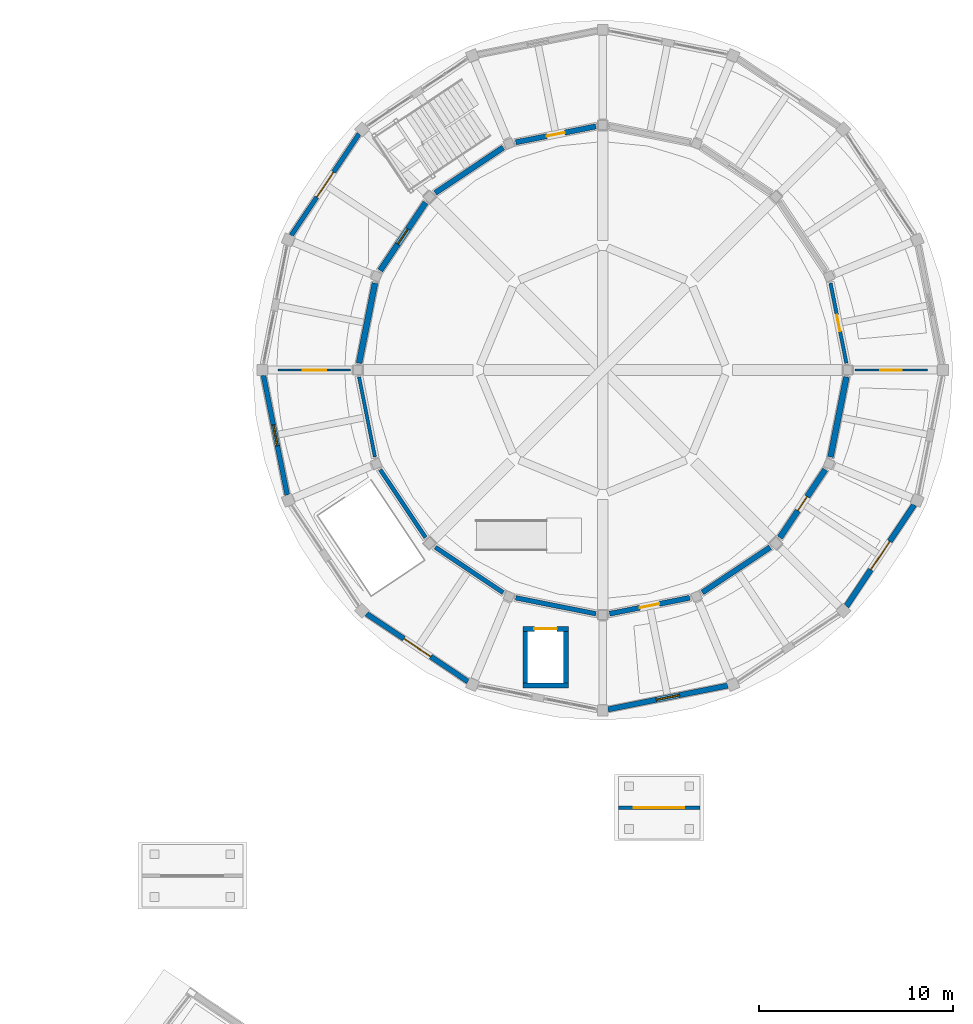
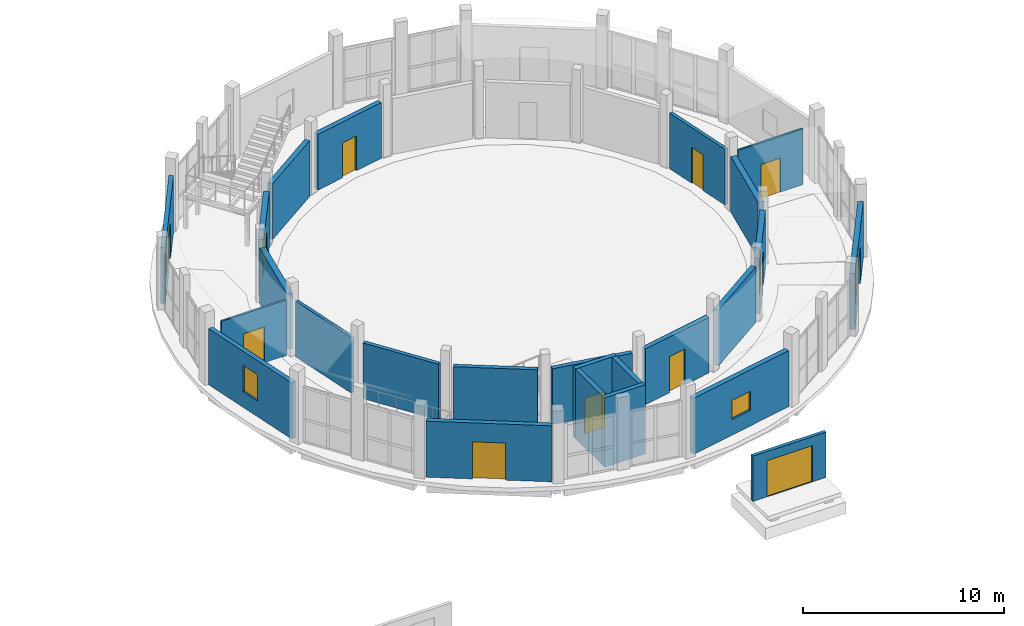
# One storey, part 74 of 92: 25 walls, 12 doors, 2 windows, 14 openings.
"""IFC4 building model written with IfcOpenShell, lengths in metres."""

import ifcopenshell
import ifcopenshell.guid

model = None  # the IFC model being written
_history = None  # IfcOwnerHistory: only IFC2X3 demands one
_inside = {}  # id of a spatial element -> (the spatial element, [elements in it])
_under = {}  # id of a project, library or spatial element -> (it, [spatial elements below it])
_declared = {}  # id of a project -> (the project, [libraries it declares])
_typed = {}  # id of a type object -> (the type object, [elements of that type])
_made_of = {}  # id of a material, layer set ... -> (it, [elements and type objects made of it])


def new_model(schema):
    """Start an empty IFC model of exactly this schema.

    Asked for "IFC4X3", IfcOpenShell would pick the latest addendum, in which some entities
    have other attributes; the version numbers below select the first issue.
    IFC2X3 requires an IfcOwnerHistory on every rooted entity: one is made here for all.
    """
    global model, _history
    if schema == "IFC4X3":
        model = ifcopenshell.file(schema_version=(4, 3, 0, 0))
    else:
        model = ifcopenshell.file(schema=schema)
    _inside.clear()
    _under.clear()
    _declared.clear()
    _typed.clear()
    _made_of.clear()
    _history = None
    if model.schema == "IFC2X3":
        org = make("IfcOrganization", Name="unknown")
        user = make(
            "IfcPersonAndOrganization",
            ThePerson=make("IfcPerson", FamilyName="unknown"),
            TheOrganization=org,
        )
        app = make(
            "IfcApplication",
            ApplicationDeveloper=org,
            Version="unknown",
            ApplicationFullName="unknown",
            ApplicationIdentifier="unknown",
        )
        _history = make(
            "IfcOwnerHistory",
            OwningUser=user,
            OwningApplication=app,
            ChangeAction="ADDED",
            CreationDate=0,
        )
    return model


def make(cls, **values):
    """One entity of the class cls with the attributes given. An attribute that is None is left unset."""
    return model.create_entity(
        cls, **{name: value for name, value in values.items() if value is not None}
    )


def rooted(cls, **values):
    """An entity with a GlobalId (a new one), such as an element, a storey or a relation."""
    return make(cls, GlobalId=ifcopenshell.guid.new(), OwnerHistory=_history, **values)


def si_unit(unit_type, name, prefix=None):
    """IfcSIUnit, for example si_unit("LENGTHUNIT", "METRE", prefix="MILLI")."""
    return make("IfcSIUnit", UnitType=unit_type, Prefix=prefix, Name=name)


def assignment(units):
    """IfcUnitAssignment: the units of a project."""
    return None if units is None else make("IfcUnitAssignment", Units=units)


def point(xyz):
    """IfcCartesianPoint."""
    return None if xyz is None else make("IfcCartesianPoint", Coordinates=xyz)


def direction(xyz):
    """IfcDirection."""
    return None if xyz is None else make("IfcDirection", DirectionRatios=xyz)


def frame(location, z_axis=None, x_axis=None):
    """IfcAxis2Placement3D, a coordinate frame: its origin and axes. An axis left out is left unset."""
    return make(
        "IfcAxis2Placement3D",
        Location=point(location),
        Axis=direction(z_axis),
        RefDirection=direction(x_axis),
    )


def frame_2d(location, x_axis=None):
    """IfcAxis2Placement2D, a coordinate frame in the plane: its origin and x axis."""
    return make(
        "IfcAxis2Placement2D", Location=point(location), RefDirection=direction(x_axis)
    )


def origin():
    """The frame at (0, 0, 0) with its axes left unset."""
    return frame((0.0, 0.0, 0.0))


def place(relative_to, where):
    """IfcLocalPlacement: puts the frame where relative to a parent placement (None: the world)."""
    return make(
        "IfcLocalPlacement", PlacementRelTo=relative_to, RelativePlacement=where
    )


def context(
    kind, dimensions, precision=None, world=None, true_north=None, identifier=None
):
    """IfcGeometricRepresentationContext, for example the 3D "Model" context."""
    return make(
        "IfcGeometricRepresentationContext",
        ContextIdentifier=identifier,
        ContextType=kind,
        CoordinateSpaceDimension=dimensions,
        Precision=precision,
        WorldCoordinateSystem=world,
        TrueNorth=true_north,
    )


def subcontext(parent, identifier, kind, view, scale=None):
    """IfcGeometricRepresentationSubContext, for example "Body" below "Model"."""
    return make(
        "IfcGeometricRepresentationSubContext",
        ContextIdentifier=identifier,
        ContextType=kind,
        ParentContext=parent,
        TargetScale=scale,
        TargetView=view,
    )


def project(units=None, contexts=None):
    """IfcProject with its units and contexts."""
    return rooted(
        "IfcProject",
        Name="project",
        RepresentationContexts=contexts,
        UnitsInContext=assignment(units),
    )


def spatial(cls, under=None, at=None, **own):
    """A site, building, storey or space (cls), placed at a placement, below another one or the project."""
    s = rooted(cls, ObjectPlacement=at, **own)
    if under is not None:
        _under.setdefault(under.id(), (under, []))[1].append(s)
    return s


def profile(cls, at=None, kind="AREA", **sizes):
    """A parametric profile (cls). Its sizes go by their IFC names, for example OverallWidth=200.0."""
    return make(cls, ProfileType=kind, Position=at, **sizes)


def rectangle(**sizes):
    """IfcRectangleProfileDef."""
    return profile("IfcRectangleProfileDef", **sizes)


def extrude(swept, where, along, depth):
    """IfcExtrudedAreaSolid: the profile swept, set in the frame where, extruded along a direction by depth."""
    return make(
        "IfcExtrudedAreaSolid",
        SweptArea=swept,
        Position=where,
        ExtrudedDirection=direction(along),
        Depth=depth,
    )


def shape(context_of_items, identifier, shape_type, items):
    """IfcShapeRepresentation: the items that make up one representation, for example the "Body"."""
    return make(
        "IfcShapeRepresentation",
        ContextOfItems=context_of_items,
        RepresentationIdentifier=identifier,
        RepresentationType=shape_type,
        Items=items,
    )


def material(Name=None, Category=None):
    """IfcMaterial."""
    return make("IfcMaterial", Name=Name, Category=Category)


def layer(
    of_material, thickness, ventilated=None, Name=None, Category=None, Priority=None
):
    """IfcMaterialLayer: one layer of a wall or slab, of a material (None: an air gap)."""
    return make(
        "IfcMaterialLayer",
        Material=of_material,
        LayerThickness=thickness,
        IsVentilated=ventilated,
        Name=Name,
        Category=Category,
        Priority=Priority,
    )


def layer_set(layers, Name=None):
    """IfcMaterialLayerSet."""
    return make("IfcMaterialLayerSet", MaterialLayers=layers, LayerSetName=Name)


def made_of(thing, what):
    """Note that an element or type object is made of a material, layer set ...; save() writes the relation."""
    if what is not None:
        _made_of.setdefault(what.id(), (what, []))[1].append(thing)
    return thing


def type_object(cls, material=None, **own):
    """A type object (cls), such as IfcWallType, which elements share."""
    return made_of(rooted(cls, **own), material)


def element(
    cls,
    number,
    at=None,
    inside=None,
    cuts=None,
    type_object=None,
    material=None,
    context=None,
    identifier="Body",
    shape_type=None,
    held_by="IfcProductDefinitionShape",
    body=None,
    shapes=None,
    **own,
):
    """One element of the class cls, such as IfcWall. Its Tag is "e" and its number.

    at: its placement. inside: the storey or other place that contains it. cuts: it is an
    opening in that element (IfcRelVoidsElement). A single representation is given by context,
    identifier, shape_type and body (its items); several are given by shapes. held_by: the class
    of the entity that holds the representations. save() writes the other relations.
    """
    e = rooted(cls, Tag="e%d" % number, ObjectPlacement=at, **own)
    if body is not None:
        shapes = [shape(context, identifier, shape_type, body)]
    if shapes is not None:
        e.Representation = make(held_by, Representations=shapes)
    if inside is not None:
        _inside.setdefault(inside.id(), (inside, []))[1].append(e)
    if cuts is not None:
        rooted(
            "IfcRelVoidsElement", RelatingBuildingElement=cuts, RelatedOpeningElement=e
        )
    if type_object is not None:
        _typed.setdefault(type_object.id(), (type_object, []))[1].append(e)
    return made_of(e, material)


def fill(opening, filler):
    """IfcRelFillsElement: the door or window that sits in an opening."""
    return rooted(
        "IfcRelFillsElement",
        RelatingOpeningElement=opening,
        RelatedBuildingElement=filler,
    )


def aggregate(whole, parts):
    """IfcRelAggregates: a whole, such as a stair, and the parts it consists of."""
    return rooted("IfcRelAggregates", RelatingObject=whole, RelatedObjects=parts)


def save(model, path):
    """Write the relations noted so far, then the file.

    IfcRelAggregates (storeys below a building ...), IfcRelContainedInSpatialStructure (elements
    in a storey), IfcRelDefinesByType, IfcRelAssociatesMaterial and IfcRelDeclares: one each for
    every whole, place, type object, material and project.
    """
    for whole, parts in _under.values():
        aggregate(whole, parts)
    for where, things in _inside.values():
        rooted(
            "IfcRelContainedInSpatialStructure",
            RelatedElements=things,
            RelatingStructure=where,
        )
    for kind, things in _typed.values():
        rooted("IfcRelDefinesByType", RelatedObjects=things, RelatingType=kind)
    for what, things in _made_of.values():
        rooted("IfcRelAssociatesMaterial", RelatedObjects=things, RelatingMaterial=what)
    for by, libraries in _declared.values():
        rooted("IfcRelDeclares", RelatingContext=by, RelatedDefinitions=libraries)
    model.write(path)


model = new_model("IFC4")

# Units and contexts
model_context = context("Model", 3, precision=1e-05, world=origin(), true_north=direction((0.0, 1.0)))
body_context = subcontext(model_context, "Body", "Model", "MODEL_VIEW")
ifc_project = project(units=[si_unit("LENGTHUNIT", "METRE"), si_unit("AREAUNIT", "SQUARE_METRE"), si_unit("VOLUMEUNIT", "CUBIC_METRE"), si_unit("PLANEANGLEUNIT", "RADIAN"), si_unit("MASSUNIT", "GRAM", prefix="KILO")], contexts=[model_context])

# Site, building, storey
site_placement = place(None, origin())
site = spatial("IfcSite", under=ifc_project, at=site_placement, CompositionType="ELEMENT")
building_placement = place(site_placement, origin())
building = spatial("IfcBuilding", under=site, at=building_placement, Name="Caldaven Crescent School", CompositionType="ELEMENT")
storey_placement = place(building_placement, origin())
storey = spatial("IfcBuildingStorey", under=building, at=storey_placement, Name="L00", CompositionType="ELEMENT", Elevation=0.0)

# Wall, opening, door
ifc_material_1 = material(Name="Concrete C35/45", Category="concrete")
ifc_layer_1 = layer(ifc_material_1, 0.300048828125)
ifc_layer_set_1 = layer_set([ifc_layer_1], Name="Concrete C35/45")
wall_type_1 = type_object("IfcWallType", Name="WAL-CW1", PredefinedType="SHEAR", material=ifc_layer_set_1)
wall_1_placement = place(storey_placement, frame((148.388916015625, 85.189208984375, 0.0), z_axis=(0.0, 0.0, 1.0), x_axis=(1.0, 0.0, 0.0)))
wall_1 = element("IfcWall", 1, at=wall_1_placement, inside=storey, type_object=wall_type_1, Name="CW-LF1-L00-N", PredefinedType="SHEAR", context=body_context, shape_type="SweptSolid", body=[
    extrude(rectangle(XDim=2.349853515625, YDim=0.25, at=frame_2d((1.1748046875, 0.0))), origin(), (0.0, 0.0, 1.0), 4.199951171875),
])
opening_1_placement = place(wall_1_placement, frame((0.60009765625, 0.0, 0.0)))
opening_1 = element("IfcOpeningElement", 2, at=opening_1_placement, cuts=wall_1, Name="Opening LD-LF1-L00", PredefinedType="OPENING", context=body_context, shape_type="SweptSolid", body=[
    extrude(rectangle(XDim=1.14990234375, YDim=2.14990234375, at=frame_2d((0.574951171875, 1.074951171875))), frame((0.0, 0.135009765625, 0.0), z_axis=(0.0, -1.0, 0.0), x_axis=(1.0, 0.0, 0.0)), (0.0, 0.0, 1.0), 0.27001953125),
])
ifc_material_2 = material(Name="Brushed stainless-steel automatic telescopic landing door", Category="steel")
door_type_1 = type_object("IfcDoorType", Name="DOR-LD02", OperationType="DOUBLE_DOOR_SLIDING", PredefinedType="DOOR", material=ifc_material_2)
door_1_placement = place(opening_1_placement, origin())
door_1 = element("IfcDoor", 3, at=door_1_placement, inside=storey, type_object=door_type_1, Name="DOR-LD-LF1-L00", OperationType="DOUBLE_DOOR_SLIDING", OverallHeight=2.14990234375, OverallWidth=1.14990234375, PredefinedType="DOOR", context=body_context, shape_type="SweptSolid", body=[
    extrude(rectangle(XDim=1.14990234375, YDim=2.14990234375, at=frame_2d((0.574951171875, 1.074951171875))), frame((0.0, 0.02490234375, 0.0), z_axis=(0.0, -1.0, 0.0), x_axis=(1.0, 0.0, 0.0)), (0.0, 0.0, 1.0), 0.050048828125),
])
fill(opening_1, door_1)

# Walls
wall_2_placement = place(storey_placement, frame((148.388916015625, 82.2890625, 0.0), z_axis=(0.0, 0.0, 1.0), x_axis=(1.0, 0.0, 0.0)))
element("IfcWall", 4, at=wall_2_placement, inside=storey, type_object=wall_type_1, Name="CW-LF1-L00-S", PredefinedType="SHEAR", context=body_context, shape_type="SweptSolid", body=[
    extrude(rectangle(XDim=2.349853515625, YDim=0.25, at=frame_2d((1.1748046875, 0.0))), origin(), (0.0, 0.0, 1.0), 4.199951171875),
])
ifc_layer_2 = layer(ifc_material_1, 0.25)
ifc_layer_set_2 = layer_set([ifc_layer_2], Name="Concrete C35/45")
wall_type_2 = type_object("IfcWallType", Name="WAL-CW2", PredefinedType="SHEAR", material=ifc_layer_set_2)
for number, where, z_axis, x_axis, name in (
    (5, (148.513916015625, 82.4140625, 0.0), (0.0, 0.0, 1.0), (0.0, 1.0, 0.0), "CW-LF1-L00-W"),
    (6, (150.61376953125, 82.4140625, 0.0), (0.0, 0.0, 1.0), (0.0, 1.0, 0.0), "CW-LF1-L00-E"),
):
    element("IfcWall", number, at=place(storey_placement, frame(where, z_axis=z_axis, x_axis=x_axis)), inside=storey, type_object=wall_type_2, Name=name, PredefinedType="SHEAR", context=body_context, shape_type="SweptSolid", body=[
        extrude(rectangle(XDim=2.650146484375, YDim=0.25, at=frame_2d((1.3251953125, 0.0))), origin(), (0.0, 0.0, 1.0), 4.199951171875),
    ])

# Wall, opening, door
ifc_material_3 = material(Name="Precast concrete C35/45", Category="concrete")
ifc_layer_3 = layer(ifc_material_3, 0.19189453125)
ifc_layer_set_3 = layer_set([ifc_layer_3], Name="Precast concrete C35/45")
wall_type_3 = type_object("IfcWallType", Name="WAL-EW01", PredefinedType="STANDARD", material=ifc_layer_set_3)
wall_3_placement = place(storey_placement, frame((153.300048828125, 76.0, 0.0), z_axis=(0.0, 0.0, 1.0), x_axis=(1.0, 0.0, 0.0)))
wall_3 = element("IfcWall", 7, at=wall_3_placement, inside=storey, type_object=wall_type_3, Name="WAL-GATE-CG6", PredefinedType="STANDARD", context=body_context, shape_type="SweptSolid", body=[
    extrude(rectangle(XDim=4.199951171875, YDim=0.19189453125, at=frame_2d((2.10009765625, 0.0))), origin(), (0.0, 0.0, 1.0), 2.75),
])
opening_2_placement = place(wall_3_placement, frame((0.800048828125, 0.0, 0.0)))
opening_2 = element("IfcOpeningElement", 8, at=opening_2_placement, cuts=wall_3, Name="Opening CG6", PredefinedType="OPENING", context=body_context, shape_type="SweptSolid", body=[
    extrude(rectangle(XDim=2.60009765625, YDim=2.199951171875, at=frame_2d((1.300048828125, 1.10009765625))), frame((0.0, 0.10595703125, 0.0), z_axis=(0.0, -1.0, 0.0), x_axis=(1.0, 0.0, 0.0)), (0.0, 0.0, 1.0), 0.2119140625),
])
ifc_material_4 = material(Name="Powder-coated galvanised tubular steel security gate", Category="steel")
door_type_2 = type_object("IfcDoorType", Name="DOR-GT03", OperationType="NOTDEFINED", PredefinedType="GATE", material=ifc_material_4)
door_2_placement = place(opening_2_placement, frame((2.60009765625, 0.0, 0.0), z_axis=(0.0, 0.0, 1.0), x_axis=(-1.0, 0.0, 0.0)))
door_2 = element("IfcDoor", 9, at=door_2_placement, inside=storey, type_object=door_type_2, Name="GATE-CG6", OperationType="DOUBLE_DOOR_SINGLE_SWING", OverallHeight=2.199951171875, OverallWidth=2.60009765625, PredefinedType="GATE", context=body_context, shape_type="SweptSolid", body=[
    extrude(rectangle(XDim=2.60009765625, YDim=2.199951171875, at=frame_2d((1.300048828125, 1.10009765625))), frame((0.0, 0.02490234375, 0.0), z_axis=(0.0, -1.0, 0.0), x_axis=(1.0, 0.0, 0.0)), (0.0, 0.0, 1.0), 0.050048828125),
])
fill(opening_2, door_2)

ifc_layer_4 = layer(ifc_material_3, 0.239990234375)
ifc_layer_set_4 = layer_set([ifc_layer_4], Name="Precast concrete C35/45")
wall_type_4 = type_object("IfcWallType", Name="WAL-EW05", PredefinedType="STANDARD", material=ifc_layer_set_4)
wall_4_placement = place(storey_placement, frame((139.97119140625, 110.643310546875, 0.0), z_axis=(0.0, 0.0, 1.0), x_axis=(-0.555571204893, -0.831468962917, 0.0)))
wall_4 = element("IfcWall", 10, at=wall_4_placement, inside=storey, type_object=wall_type_4, Name="EW-L00-004", PredefinedType="STANDARD", context=body_context, shape_type="SweptSolid", body=[
    extrude(rectangle(XDim=6.272216796875, YDim=0.239990234375, at=frame_2d((3.13623046875, 0.0))), origin(), (0.0, 0.0, 1.0), 3.39990234375),
])
opening_3_placement = place(wall_4_placement, frame((2.361083984375, 0.0, 0.0)))
opening_3 = element("IfcOpeningElement", 11, at=opening_3_placement, cuts=wall_4, Name="Opening D-L00-E002", PredefinedType="OPENING", context=body_context, shape_type="SweptSolid", body=[
    extrude(rectangle(XDim=1.550048828125, YDim=2.219970703125, at=frame_2d((0.77490234375, 1.10986328125))), frame((0.0, 0.1298828125, 0.0), z_axis=(0.0, -1.0, 0.0), x_axis=(1.0, 0.0, 0.0)), (0.0, 0.0, 1.0), 0.260009765625),
])
ifc_material_5 = material(Name="Thermally broken bronze-anodised aluminium and laminated safety glass", Category="aluminium")
door_type_3 = type_object("IfcDoorType", Name="DOR-EX08", OperationType="NOTDEFINED", PredefinedType="DOOR", material=ifc_material_5)
door_3_placement = place(opening_3_placement, frame((1.550048828125, 0.0, 0.0), z_axis=(0.0, 0.0, 1.0), x_axis=(-1.0, 0.0, 0.0)))
door_3 = element("IfcDoor", 12, at=door_3_placement, inside=storey, type_object=door_type_3, Name="DOR-EXT-L00-002", OperationType="DOUBLE_DOOR_SINGLE_SWING", OverallHeight=2.219970703125, OverallWidth=1.550048828125, PredefinedType="DOOR", context=body_context, shape_type="SweptSolid", body=[
    extrude(rectangle(XDim=1.550048828125, YDim=2.219970703125, at=frame_2d((0.77490234375, 1.10986328125))), frame((0.0, 0.02490234375, 0.0), z_axis=(0.0, -1.0, 0.0), x_axis=(1.0, 0.0, 0.0)), (0.0, 0.0, 1.0), 0.050048828125),
])
fill(opening_3, door_3)

# Wall, opening, window
ifc_layer_5 = layer(ifc_material_3, 0.251953125)
ifc_layer_set_5 = layer_set([ifc_layer_5], Name="Precast concrete C35/45")
wall_type_5 = type_object("IfcWallType", Name="WAL-EW06", PredefinedType="STANDARD", material=ifc_layer_set_5)
wall_5_placement = place(storey_placement, frame((135.05419921875, 98.227294921875, 0.0), z_axis=(0.0, 0.0, 1.0), x_axis=(0.195090512195, -0.980785242574, 0.0)))
wall_5 = element("IfcWall", 13, at=wall_5_placement, inside=storey, type_object=wall_type_5, Name="EW-L00-005", PredefinedType="STANDARD", context=body_context, shape_type="SweptSolid", body=[
    extrude(rectangle(XDim=6.272216796875, YDim=0.251953125, at=frame_2d((3.13623046875, 0.0))), origin(), (0.0, 0.0, 1.0), 3.39990234375),
])
opening_4_placement = place(wall_5_placement, frame((2.586181640625, 0.0, 0.949951171875)))
opening_4 = element("IfcOpeningElement", 14, at=opening_4_placement, cuts=wall_5, Name="Opening W04", PredefinedType="OPENING", context=body_context, shape_type="SweptSolid", body=[
    extrude(rectangle(XDim=1.10009765625, YDim=1.60009765625, at=frame_2d((0.550048828125, 0.800048828125))), frame((0.0, 0.135986328125, 0.0), z_axis=(0.0, -1.0, 0.0), x_axis=(1.0, 0.0, 0.0)), (0.0, 0.0, 1.0), 0.27197265625),
])
ifc_material_6 = material(Name="Thermally broken anodised aluminium AA 6063-T6 and low-E double glazing", Category="aluminium")
window_type_1 = type_object("IfcWindowType", Name="WIN-W04", PartitioningType="SINGLE_PANEL", PredefinedType="WINDOW", material=ifc_material_6)
window_1_placement = place(opening_4_placement, origin())
window_1 = element("IfcWindow", 15, at=window_1_placement, inside=storey, type_object=window_type_1, Name="WIN-L00-003-1", OverallHeight=1.60009765625, OverallWidth=1.10009765625, PartitioningType="SINGLE_PANEL", PredefinedType="WINDOW", context=body_context, shape_type="SweptSolid", body=[
    extrude(rectangle(XDim=1.10009765625, YDim=1.60009765625, at=frame_2d((0.550048828125, 0.800048828125))), frame((0.0, 0.030029296875, 0.0), z_axis=(0.0, -1.0, 0.0), x_axis=(1.0, 0.0, 0.0)), (0.0, 0.0, 1.0), 0.06005859375),
])
fill(opening_4, window_1)

# Wall, opening, door
ifc_layer_6 = layer(ifc_material_3, 0.263916015625)
ifc_layer_set_6 = layer_set([ifc_layer_6], Name="Precast concrete C35/45")
wall_type_6 = type_object("IfcWallType", Name="WAL-EW07", PredefinedType="STANDARD", material=ifc_layer_set_6)
wall_6_placement = place(storey_placement, frame((140.356689453125, 85.97119140625, 0.0), z_axis=(0.0, 0.0, 1.0), x_axis=(0.831468962917, -0.555571204893, 0.0)))
wall_6 = element("IfcWall", 16, at=wall_6_placement, inside=storey, type_object=wall_type_6, Name="EW-L00-006", PredefinedType="STANDARD", context=body_context, shape_type="SweptSolid", body=[
    extrude(rectangle(XDim=6.272216796875, YDim=0.263916015625, at=frame_2d((3.13623046875, 0.0))), origin(), (0.0, 0.0, 1.0), 3.39990234375),
])
opening_5_placement = place(wall_6_placement, frame((2.31103515625, 0.0, 0.0)))
opening_5 = element("IfcOpeningElement", 17, at=opening_5_placement, cuts=wall_6, Name="Opening D-L00-E003", PredefinedType="OPENING", context=body_context, shape_type="SweptSolid", body=[
    extrude(rectangle(XDim=1.64990234375, YDim=2.25, at=frame_2d((0.824951171875, 1.125))), frame((0.0, 0.141845703125, 0.0), z_axis=(0.0, -1.0, 0.0), x_axis=(1.0, 0.0, 0.0)), (0.0, 0.0, 1.0), 0.283935546875),
])
door_type_4 = type_object("IfcDoorType", Name="DOR-EX09", OperationType="NOTDEFINED", PredefinedType="DOOR", material=ifc_material_5)
door_4_placement = place(opening_5_placement, frame((1.64990234375, 0.0, 0.0), z_axis=(0.0, 0.0, 1.0), x_axis=(-1.0, 0.0, 0.0)))
door_4 = element("IfcDoor", 18, at=door_4_placement, inside=storey, type_object=door_type_4, Name="DOR-EXT-L00-003", OperationType="DOUBLE_DOOR_SINGLE_SWING", OverallHeight=2.25, OverallWidth=1.64990234375, PredefinedType="DOOR", context=body_context, shape_type="SweptSolid", body=[
    extrude(rectangle(XDim=1.64990234375, YDim=2.25, at=frame_2d((0.824951171875, 1.125))), frame((0.0, 0.02490234375, 0.0), z_axis=(0.0, -1.0, 0.0), x_axis=(1.0, 0.0, 0.0)), (0.0, 0.0, 1.0), 0.050048828125),
])
fill(opening_5, door_4)

# Wall, opening, window
ifc_layer_7 = layer(ifc_material_3, 0.27587890625)
ifc_layer_set_7 = layer_set([ifc_layer_7], Name="Precast concrete C35/45")
wall_type_7 = type_object("IfcWallType", Name="WAL-EW08", PredefinedType="STANDARD", material=ifc_layer_set_7)
wall_7_placement = place(storey_placement, frame((152.772705078125, 81.05419921875, 0.0), z_axis=(0.0, 0.0, 1.0), x_axis=(0.980785242574, 0.195090512195, 0.0)))
wall_7 = element("IfcWall", 19, at=wall_7_placement, inside=storey, type_object=wall_type_7, Name="EW-L00-007", PredefinedType="STANDARD", context=body_context, shape_type="SweptSolid", body=[
    extrude(rectangle(XDim=6.272216796875, YDim=0.27587890625, at=frame_2d((3.13623046875, 0.0))), origin(), (0.0, 0.0, 1.0), 3.39990234375),
])
opening_6_placement = place(wall_7_placement, frame((2.526123046875, 0.0, 0.949951171875)))
opening_6 = element("IfcOpeningElement", 20, at=opening_6_placement, cuts=wall_7, Name="Opening W05", PredefinedType="OPENING", context=body_context, shape_type="SweptSolid", body=[
    extrude(rectangle(XDim=1.219970703125, YDim=1.14990234375, at=frame_2d((0.60986328125, 0.574951171875))), frame((0.0, 0.14794921875, 0.0), z_axis=(0.0, -1.0, 0.0), x_axis=(1.0, 0.0, 0.0)), (0.0, 0.0, 1.0), 0.2958984375),
])
window_type_2 = type_object("IfcWindowType", Name="WIN-W05", PartitioningType="SINGLE_PANEL", PredefinedType="WINDOW", material=ifc_material_6)
window_2_placement = place(opening_6_placement, origin())
window_2 = element("IfcWindow", 21, at=window_2_placement, inside=storey, type_object=window_type_2, Name="WIN-L00-004-1", OverallHeight=1.14990234375, OverallWidth=1.219970703125, PartitioningType="SINGLE_PANEL", PredefinedType="WINDOW", context=body_context, shape_type="SweptSolid", body=[
    extrude(rectangle(XDim=1.219970703125, YDim=1.14990234375, at=frame_2d((0.60986328125, 0.574951171875))), frame((0.0, 0.030029296875, 0.0), z_axis=(0.0, -1.0, 0.0), x_axis=(1.0, 0.0, 0.0)), (0.0, 0.0, 1.0), 0.06005859375),
])
fill(opening_6, window_2)

# Wall, opening, door
ifc_layer_8 = layer(ifc_material_3, 0.2880859375)
ifc_layer_set_8 = layer_set([ifc_layer_8], Name="Precast concrete C35/45")
wall_type_8 = type_object("IfcWallType", Name="WAL-EW09", PredefinedType="STANDARD", material=ifc_layer_set_8)
wall_8_placement = place(storey_placement, frame((165.02880859375, 86.356689453125, 0.0), z_axis=(0.0, 0.0, 1.0), x_axis=(0.555571204893, 0.831468962917, 0.0)))
wall_8 = element("IfcWall", 22, at=wall_8_placement, inside=storey, type_object=wall_type_8, Name="EW-L00-008", PredefinedType="STANDARD", context=body_context, shape_type="SweptSolid", body=[
    extrude(rectangle(XDim=6.272216796875, YDim=0.2880859375, at=frame_2d((3.13623046875, 0.0))), origin(), (0.0, 0.0, 1.0), 3.39990234375),
])
opening_7_placement = place(wall_8_placement, frame((2.260986328125, 0.0, 0.0)))
opening_7 = element("IfcOpeningElement", 23, at=opening_7_placement, cuts=wall_8, Name="Opening D-L00-E004", PredefinedType="OPENING", context=body_context, shape_type="SweptSolid", body=[
    extrude(rectangle(XDim=1.75, YDim=2.25, at=frame_2d((0.875, 1.125))), frame((0.0, 0.154052734375, 0.0), z_axis=(0.0, -1.0, 0.0), x_axis=(1.0, 0.0, 0.0)), (0.0, 0.0, 1.0), 0.30810546875),
])
door_type_5 = type_object("IfcDoorType", Name="DOR-EX10", OperationType="NOTDEFINED", PredefinedType="DOOR", material=ifc_material_5)
door_5_placement = place(opening_7_placement, frame((1.75, 0.0, 0.0), z_axis=(0.0, 0.0, 1.0), x_axis=(-1.0, 0.0, 0.0)))
door_5 = element("IfcDoor", 24, at=door_5_placement, inside=storey, type_object=door_type_5, Name="DOR-EXT-L00-004", OperationType="DOUBLE_DOOR_SINGLE_SWING", OverallHeight=2.25, OverallWidth=1.75, PredefinedType="DOOR", context=body_context, shape_type="SweptSolid", body=[
    extrude(rectangle(XDim=1.75, YDim=2.25, at=frame_2d((0.875, 1.125))), frame((0.0, 0.02490234375, 0.0), z_axis=(0.0, -1.0, 0.0), x_axis=(1.0, 0.0, 0.0)), (0.0, 0.0, 1.0), 0.050048828125),
])
fill(opening_7, door_5)

# Wall
ifc_material_7 = material(Name="Acoustic timber-stud and fire-rated gypsum board assembly", Category="wood")
ifc_layer_9 = layer(ifc_material_7, 0.169921875)
ifc_layer_set_9 = layer_set([ifc_layer_9], Name="Acoustic timber-stud and fire-rated gypsum board assembly")
wall_type_9 = type_object("IfcWallType", Name="WAL-IW02", PredefinedType="STANDARD", material=ifc_layer_set_9)
wall_9_placement = place(storey_placement, frame((139.97021484375, 98.14697265625, 0.0), z_axis=(0.0, 0.0, 1.0), x_axis=(0.195075508639, -0.980788226851, 0.0)))
element("IfcWall", 25, at=wall_9_placement, inside=storey, type_object=wall_type_9, Name="IW-L00-0017", PredefinedType="STANDARD", context=body_context, shape_type="SweptSolid", body=[
    extrude(rectangle(XDim=4.1962890625, YDim=0.169921875, at=frame_2d((2.09814453125, 0.0))), origin(), (0.0, 0.0, 1.0), 3.3798828125),
])

# Wall, opening, door
ifc_layer_10 = layer(ifc_material_7, 0.179931640625)
ifc_layer_set_10 = layer_set([ifc_layer_10], Name="Acoustic timber-stud and fire-rated gypsum board assembly")
wall_type_10 = type_object("IfcWallType", Name="WAL-IW03", PredefinedType="STANDARD", material=ifc_layer_set_10)
wall_10_placement = place(storey_placement, frame((165.02978515625, 98.85302734375, 0.0), z_axis=(0.0, 0.0, 1.0), x_axis=(-0.195075508639, 0.980788226851, 0.0)))
wall_10 = element("IfcWall", 26, at=wall_10_placement, inside=storey, type_object=wall_type_10, Name="IW-L00-0002", PredefinedType="STANDARD", context=body_context, shape_type="SweptSolid", body=[
    extrude(rectangle(XDim=4.1962890625, YDim=0.179931640625, at=frame_2d((2.09814453125, 0.0))), origin(), (0.0, 0.0, 1.0), 3.3798828125),
])
opening_8_placement = place(wall_10_placement, frame((1.668212890625, 0.0, 0.0)))
opening_8 = element("IfcOpeningElement", 27, at=opening_8_placement, cuts=wall_10, Name="Opening D-L00-I002", PredefinedType="OPENING", context=body_context, shape_type="SweptSolid", body=[
    extrude(rectangle(XDim=0.860107421875, YDim=2.179931640625, at=frame_2d((0.43017578125, 1.08984375))), frame((0.0, 0.099853515625, 0.0), z_axis=(0.0, -1.0, 0.0), x_axis=(1.0, 0.0, 0.0)), (0.0, 0.0, 1.0), 0.199951171875),
])
ifc_material_8 = material(Name="Solid-core Pino Radiata acoustic timber leaf in steel frame", Category="steel")
door_type_6 = type_object("IfcDoorType", Name="DOR-ID03", OperationType="NOTDEFINED", PredefinedType="DOOR", material=ifc_material_8)
door_6_placement = place(opening_8_placement, frame((0.860107421875, 0.0, 0.0), z_axis=(0.0, 0.0, 1.0), x_axis=(-1.0, 0.0, 0.0)))
door_6 = element("IfcDoor", 28, at=door_6_placement, inside=storey, type_object=door_type_6, Name="DOR-INT-L00-0002", OperationType="SINGLE_SWING_LEFT", OverallHeight=2.179931640625, OverallWidth=0.860107421875, PredefinedType="DOOR", context=body_context, shape_type="SweptSolid", body=[
    extrude(rectangle(XDim=0.860107421875, YDim=2.179931640625, at=frame_2d((0.43017578125, 1.08984375))), frame((0.0, 0.02490234375, 0.0), z_axis=(0.0, -1.0, 0.0), x_axis=(1.0, 0.0, 0.0)), (0.0, 0.0, 1.0), 0.050048828125),
])
fill(opening_8, door_6)

# Walls
ifc_layer_11 = layer(ifc_material_7, 0.2099609375)
ifc_layer_set_11 = layer_set([ifc_layer_11], Name="Acoustic timber-stud and fire-rated gypsum board assembly")
wall_type_11 = type_object("IfcWallType", Name="WAL-IW06", PredefinedType="STANDARD", material=ifc_layer_set_11)
wall_11_placement = place(storey_placement, frame((141.05908203125, 93.37890625, 0.0), z_axis=(0.0, 0.0, 1.0), x_axis=(0.55557260962, -0.831468024304, 0.0)))
element("IfcWall", 29, at=wall_11_placement, inside=storey, type_object=wall_type_11, Name="IW-L00-0021", PredefinedType="STANDARD", context=body_context, shape_type="SweptSolid", body=[
    extrude(rectangle(XDim=4.1962890625, YDim=0.2099609375, at=frame_2d((2.09814453125, 0.0))), origin(), (0.0, 0.0, 1.0), 3.3798828125),
])
ifc_layer_12 = layer(ifc_material_7, 0.22998046875)
ifc_layer_set_12 = layer_set([ifc_layer_12], Name="Acoustic timber-stud and fire-rated gypsum board assembly")
wall_type_12 = type_object("IfcWallType", Name="WAL-IW08", PredefinedType="STANDARD", material=ifc_layer_set_12)
wall_12_placement = place(storey_placement, frame((143.889892578125, 89.390380859375, 0.0), z_axis=(0.0, 0.0, 1.0), x_axis=(0.831468024304, -0.55557260962, 0.0)))
element("IfcWall", 30, at=wall_12_placement, inside=storey, type_object=wall_type_12, Name="IW-L00-0023", PredefinedType="STANDARD", context=body_context, shape_type="SweptSolid", body=[
    extrude(rectangle(XDim=4.1962890625, YDim=0.22998046875, at=frame_2d((2.09814453125, 0.0))), origin(), (0.0, 0.0, 1.0), 3.3798828125),
])
ifc_layer_13 = layer(ifc_material_7, 0.239990234375)
ifc_layer_set_13 = layer_set([ifc_layer_13], Name="Acoustic timber-stud and fire-rated gypsum board assembly")
wall_type_13 = type_object("IfcWallType", Name="WAL-IW09", PredefinedType="STANDARD", material=ifc_layer_set_13)
wall_13_placement = place(storey_placement, frame((148.03125, 86.788818359375, 0.0), z_axis=(0.0, 0.0, 1.0), x_axis=(0.980788226851, -0.195075508639, 0.0)))
element("IfcWall", 31, at=wall_13_placement, inside=storey, type_object=wall_type_13, Name="IW-L00-0024", PredefinedType="STANDARD", context=body_context, shape_type="SweptSolid", body=[
    extrude(rectangle(XDim=4.1962890625, YDim=0.239990234375, at=frame_2d((2.09814453125, 0.0))), origin(), (0.0, 0.0, 1.0), 3.3798828125),
])

# Wall, opening, door
ifc_layer_14 = layer(ifc_material_7, 0.260009765625)
ifc_layer_set_14 = layer_set([ifc_layer_14], Name="Acoustic timber-stud and fire-rated gypsum board assembly")
wall_type_14 = type_object("IfcWallType", Name="WAL-IW11", PredefinedType="STANDARD", material=ifc_layer_set_14)
wall_14_placement = place(storey_placement, frame((152.85302734375, 85.97021484375, 0.0), z_axis=(0.0, 0.0, 1.0), x_axis=(0.980788226851, 0.195075508639, 0.0)))
wall_14 = element("IfcWall", 32, at=wall_14_placement, inside=storey, type_object=wall_type_14, Name="IW-L00-0026", PredefinedType="STANDARD", context=body_context, shape_type="SweptSolid", body=[
    extrude(rectangle(XDim=4.1962890625, YDim=0.260009765625, at=frame_2d((2.09814453125, 0.0))), origin(), (0.0, 0.0, 1.0), 3.3798828125),
])
opening_9_placement = place(wall_14_placement, frame((1.588134765625, 0.0, 0.0)))
opening_9 = element("IfcOpeningElement", 33, at=opening_9_placement, cuts=wall_14, Name="Opening D-L00-I018", PredefinedType="OPENING", context=body_context, shape_type="SweptSolid", body=[
    extrude(rectangle(XDim=1.02001953125, YDim=2.179931640625, at=frame_2d((0.510009765625, 1.08984375))), frame((0.0, 0.139892578125, 0.0), z_axis=(0.0, -1.0, 0.0), x_axis=(1.0, 0.0, 0.0)), (0.0, 0.0, 1.0), 0.280029296875),
])
door_type_7 = type_object("IfcDoorType", Name="DOR-ID19", OperationType="NOTDEFINED", PredefinedType="DOOR", material=ifc_material_8)
door_7_placement = place(opening_9_placement, frame((1.02001953125, 0.0, 0.0), z_axis=(0.0, 0.0, 1.0), x_axis=(-1.0, 0.0, 0.0)))
door_7 = element("IfcDoor", 34, at=door_7_placement, inside=storey, type_object=door_type_7, Name="DOR-INT-L00-0018", OperationType="SINGLE_SWING_LEFT", OverallHeight=2.179931640625, OverallWidth=1.02001953125, PredefinedType="DOOR", context=body_context, shape_type="SweptSolid", body=[
    extrude(rectangle(XDim=1.02001953125, YDim=2.179931640625, at=frame_2d((0.510009765625, 1.08984375))), frame((0.0, 0.02490234375, 0.0), z_axis=(0.0, -1.0, 0.0), x_axis=(1.0, 0.0, 0.0)), (0.0, 0.0, 1.0), 0.050048828125),
])
fill(opening_9, door_7)

ifc_material_9 = material(Name="Autoclaved aerated concrete block masonry G5", Category="masonry")
ifc_layer_15 = layer(ifc_material_9, 0.27001953125)
ifc_layer_set_15 = layer_set([ifc_layer_15], Name="Autoclaved aerated concrete block masonry G5")
wall_type_15 = type_object("IfcWallType", Name="WAL-IW12", PredefinedType="STANDARD", material=ifc_layer_set_15)
wall_15_placement = place(storey_placement, frame((152.14697265625, 111.02978515625, 0.0), z_axis=(0.0, 0.0, 1.0), x_axis=(-0.980788226851, -0.195075508639, 0.0)))
wall_15 = element("IfcWall", 35, at=wall_15_placement, inside=storey, type_object=wall_type_15, Name="IW-L00-0011", PredefinedType="STANDARD", context=body_context, shape_type="SweptSolid", body=[
    extrude(rectangle(XDim=4.1962890625, YDim=0.27001953125, at=frame_2d((2.09814453125, 0.0))), origin(), (0.0, 0.0, 1.0), 3.3798828125),
])
opening_10_placement = place(wall_15_placement, frame((1.628173828125, 0.0, 0.0)))
opening_10 = element("IfcOpeningElement", 36, at=opening_10_placement, cuts=wall_15, Name="Opening D-L00-I009", PredefinedType="OPENING", context=body_context, shape_type="SweptSolid", body=[
    extrude(rectangle(XDim=0.93994140625, YDim=2.1201171875, at=frame_2d((0.469970703125, 1.06005859375))), frame((0.0, 0.14501953125, 0.0), z_axis=(0.0, -1.0, 0.0), x_axis=(1.0, 0.0, 0.0)), (0.0, 0.0, 1.0), 0.2900390625),
])
door_type_8 = type_object("IfcDoorType", Name="DOR-ID10", OperationType="NOTDEFINED", PredefinedType="DOOR", material=ifc_material_8)
door_8_placement = place(opening_10_placement, frame((0.93994140625, 0.0, 0.0), z_axis=(0.0, 0.0, 1.0), x_axis=(-1.0, 0.0, 0.0)))
door_8 = element("IfcDoor", 37, at=door_8_placement, inside=storey, type_object=door_type_8, Name="DOR-INT-L00-0009", OperationType="SINGLE_SWING_RIGHT", OverallHeight=2.1201171875, OverallWidth=0.93994140625, PredefinedType="DOOR", context=body_context, shape_type="SweptSolid", body=[
    extrude(rectangle(XDim=0.93994140625, YDim=2.1201171875, at=frame_2d((0.469970703125, 1.06005859375))), frame((0.0, 0.02490234375, 0.0), z_axis=(0.0, -1.0, 0.0), x_axis=(1.0, 0.0, 0.0)), (0.0, 0.0, 1.0), 0.050048828125),
])
fill(opening_10, door_8)

# Walls
ifc_layer_16 = layer(ifc_material_9, 0.280029296875)
ifc_layer_set_16 = layer_set([ifc_layer_16], Name="Autoclaved aerated concrete block masonry G5")
wall_type_16 = type_object("IfcWallType", Name="WAL-IW13", PredefinedType="STANDARD", material=ifc_layer_set_16)
for number, where, z_axis, x_axis, name in (
    (38, (147.37890625, 109.94091796875, 0.0), (0.0, 0.0, 1.0), (-0.831468024304, -0.55557260962, 0.0), "IW-L00-0012"),
    (39, (157.62109375, 87.05908203125, 0.0), (0.0, 0.0, 1.0), (0.831468024304, 0.55557260962, 0.0), "IW-L00-0028"),
):
    element("IfcWall", number, at=place(storey_placement, frame(where, z_axis=z_axis, x_axis=x_axis)), inside=storey, type_object=wall_type_16, Name=name, PredefinedType="STANDARD", context=body_context, shape_type="SweptSolid", body=[
        extrude(rectangle(XDim=4.1962890625, YDim=0.280029296875, at=frame_2d((2.09814453125, 0.0))), origin(), (0.0, 0.0, 1.0), 3.3798828125),
    ])

# Wall, opening, door
ifc_layer_17 = layer(ifc_material_9, 0.300048828125)
ifc_layer_set_17 = layer_set([ifc_layer_17], Name="Autoclaved aerated concrete block masonry G5")
wall_type_17 = type_object("IfcWallType", Name="WAL-IW15", PredefinedType="STANDARD", material=ifc_layer_set_17)
wall_16_placement = place(storey_placement, frame((143.390380859375, 107.110107421875, 0.0), z_axis=(0.0, 0.0, 1.0), x_axis=(-0.55557260962, -0.831468024304, 0.0)))
wall_16 = element("IfcWall", 40, at=wall_16_placement, inside=storey, type_object=wall_type_17, Name="IW-L00-0014", PredefinedType="STANDARD", context=body_context, shape_type="SweptSolid", body=[
    extrude(rectangle(XDim=4.1962890625, YDim=0.300048828125, at=frame_2d((2.09814453125, 0.0))), origin(), (0.0, 0.0, 1.0), 3.3798828125),
])
opening_11_placement = place(wall_16_placement, frame((1.628173828125, 0.0, 0.0)))
opening_11 = element("IfcOpeningElement", 41, at=opening_11_placement, cuts=wall_16, Name="Opening D-L00-I011", PredefinedType="OPENING", context=body_context, shape_type="SweptSolid", body=[
    extrude(rectangle(XDim=0.93994140625, YDim=2.239990234375, at=frame_2d((0.469970703125, 1.1201171875))), frame((0.0, 0.159912109375, 0.0), z_axis=(0.0, -1.0, 0.0), x_axis=(1.0, 0.0, 0.0)), (0.0, 0.0, 1.0), 0.320068359375),
])
door_type_9 = type_object("IfcDoorType", Name="DOR-ID12", OperationType="NOTDEFINED", PredefinedType="DOOR", material=ifc_material_8)
door_9_placement = place(opening_11_placement, frame((0.93994140625, 0.0, 0.0), z_axis=(0.0, 0.0, 1.0), x_axis=(-1.0, 0.0, 0.0)))
door_9 = element("IfcDoor", 42, at=door_9_placement, inside=storey, type_object=door_type_9, Name="DOR-INT-L00-0011", OperationType="SINGLE_SWING_RIGHT", OverallHeight=2.239990234375, OverallWidth=0.93994140625, PredefinedType="DOOR", context=body_context, shape_type="SweptSolid", body=[
    extrude(rectangle(XDim=0.93994140625, YDim=2.239990234375, at=frame_2d((0.469970703125, 1.1201171875))), frame((0.0, 0.02490234375, 0.0), z_axis=(0.0, -1.0, 0.0), x_axis=(1.0, 0.0, 0.0)), (0.0, 0.0, 1.0), 0.050048828125),
])
fill(opening_11, door_9)

wall_17_placement = place(storey_placement, frame((161.609619140625, 89.889892578125, 0.0), z_axis=(0.0, 0.0, 1.0), x_axis=(0.55557260962, 0.831468024304, 0.0)))
wall_17 = element("IfcWall", 43, at=wall_17_placement, inside=storey, type_object=wall_type_17, Name="IW-L00-0030", PredefinedType="STANDARD", context=body_context, shape_type="SweptSolid", body=[
    extrude(rectangle(XDim=4.1962890625, YDim=0.300048828125, at=frame_2d((2.09814453125, 0.0))), origin(), (0.0, 0.0, 1.0), 3.3798828125),
])
opening_12_placement = place(wall_17_placement, frame((1.668212890625, 0.0, 0.0)))
opening_12 = element("IfcOpeningElement", 44, at=opening_12_placement, cuts=wall_17, Name="Opening D-L00-I021", PredefinedType="OPENING", context=body_context, shape_type="SweptSolid", body=[
    extrude(rectangle(XDim=0.860107421875, YDim=2.1201171875, at=frame_2d((0.43017578125, 1.06005859375))), frame((0.0, 0.159912109375, 0.0), z_axis=(0.0, -1.0, 0.0), x_axis=(1.0, 0.0, 0.0)), (0.0, 0.0, 1.0), 0.320068359375),
])
door_type_10 = type_object("IfcDoorType", Name="DOR-ID02", OperationType="NOTDEFINED", PredefinedType="DOOR", material=ifc_material_8)
door_10_placement = place(opening_12_placement, frame((0.860107421875, 0.0, 0.0), z_axis=(0.0, 0.0, 1.0), x_axis=(-1.0, 0.0, 0.0)))
door_10 = element("IfcDoor", 45, at=door_10_placement, inside=storey, type_object=door_type_10, Name="DOR-INT-L00-0021", OperationType="SINGLE_SWING_RIGHT", OverallHeight=2.1201171875, OverallWidth=0.860107421875, PredefinedType="DOOR", context=body_context, shape_type="SweptSolid", body=[
    extrude(rectangle(XDim=0.860107421875, YDim=2.1201171875, at=frame_2d((0.43017578125, 1.06005859375))), frame((0.0, 0.02490234375, 0.0), z_axis=(0.0, -1.0, 0.0), x_axis=(1.0, 0.0, 0.0)), (0.0, 0.0, 1.0), 0.050048828125),
])
fill(opening_12, door_10)

# Walls
ifc_layer_18 = layer(ifc_material_9, 0.31005859375)
ifc_layer_set_18 = layer_set([ifc_layer_18], Name="Autoclaved aerated concrete block masonry G5")
wall_type_18 = type_object("IfcWallType", Name="WAL-IW16", PredefinedType="STANDARD", material=ifc_layer_set_18)
for number, where, z_axis, x_axis, name in (
    (46, (140.788818359375, 102.96875, 0.0), (0.0, 0.0, 1.0), (-0.195075508639, -0.980788226851, 0.0), "IW-L00-0015"),
    (47, (164.211181640625, 94.03125, 0.0), (0.0, 0.0, 1.0), (0.195075508639, 0.980788226851, 0.0), "IW-L00-0031"),
):
    element("IfcWall", number, at=place(storey_placement, frame(where, z_axis=z_axis, x_axis=x_axis)), inside=storey, type_object=wall_type_18, Name=name, PredefinedType="STANDARD", context=body_context, shape_type="SweptSolid", body=[
        extrude(rectangle(XDim=4.1962890625, YDim=0.31005859375, at=frame_2d((2.09814453125, 0.0))), origin(), (0.0, 0.0, 1.0), 3.3798828125),
    ])

# Wall, opening, door
ifc_material_10 = material(Name="Acoustic double-layer gypsum partition on galvanised steel studs", Category="steel")
ifc_layer_19 = layer(ifc_material_10, 0.10400390625)
ifc_layer_set_19 = layer_set([ifc_layer_19], Name="Acoustic double-layer gypsum partition on galvanised steel studs")
wall_type_19 = type_object("IfcWallType", Name="WAL-PT04", PredefinedType="PARTITIONING", material=ifc_layer_set_19)
wall_18_placement = place(storey_placement, frame((139.5400390625, 98.5, 0.0), z_axis=(0.0, 0.0, 1.0), x_axis=(-1.0, 0.0, 0.0)))
wall_18 = element("IfcWall", 48, at=wall_18_placement, inside=storey, type_object=wall_type_19, Name="IW-L00-0019", PredefinedType="PARTITIONING", context=body_context, shape_type="SweptSolid", body=[
    extrude(rectangle(XDim=3.72998046875, YDim=0.10400390625, at=frame_2d((1.864990234375, 0.0))), origin(), (0.0, 0.0, 1.0), 3.3798828125),
])
opening_13_placement = place(wall_18_placement, frame((1.264892578125, 0.0, 0.0)))
opening_13 = element("IfcOpeningElement", 49, at=opening_13_placement, cuts=wall_18, Name="Opening D-L00-I014", PredefinedType="OPENING", context=body_context, shape_type="SweptSolid", body=[
    extrude(rectangle(XDim=1.199951171875, YDim=2.179931640625, at=frame_2d((0.60009765625, 1.08984375))), frame((0.0, 0.06201171875, 0.0), z_axis=(0.0, -1.0, 0.0), x_axis=(1.0, 0.0, 0.0)), (0.0, 0.0, 1.0), 0.1240234375),
])
door_type_11 = type_object("IfcDoorType", Name="DOR-ID35", OperationType="NOTDEFINED", PredefinedType="DOOR", material=ifc_material_8)
door_11_placement = place(opening_13_placement, origin())
door_11 = element("IfcDoor", 50, at=door_11_placement, inside=storey, type_object=door_type_11, Name="DOR-INT-L00-0014", OperationType="SINGLE_SWING_LEFT", OverallHeight=2.179931640625, OverallWidth=1.199951171875, PredefinedType="DOOR", context=body_context, shape_type="SweptSolid", body=[
    extrude(rectangle(XDim=1.199951171875, YDim=2.179931640625, at=frame_2d((0.60009765625, 1.08984375))), frame((0.0, 0.02490234375, 0.0), z_axis=(0.0, -1.0, 0.0), x_axis=(1.0, 0.0, 0.0)), (0.0, 0.0, 1.0), 0.050048828125),
])
fill(opening_13, door_11)

ifc_layer_20 = layer(ifc_material_10, 0.110107421875)
ifc_layer_set_20 = layer_set([ifc_layer_20], Name="Acoustic double-layer gypsum partition on galvanised steel studs")
wall_type_20 = type_object("IfcWallType", Name="WAL-PT05", PredefinedType="PARTITIONING", material=ifc_layer_set_20)
wall_19_placement = place(storey_placement, frame((165.4599609375, 98.5, 0.0), z_axis=(0.0, 0.0, 1.0), x_axis=(1.0, 0.0, 0.0)))
wall_19 = element("IfcWall", 51, at=wall_19_placement, inside=storey, type_object=wall_type_20, Name="IW-L00-0004", PredefinedType="PARTITIONING", context=body_context, shape_type="SweptSolid", body=[
    extrude(rectangle(XDim=3.72998046875, YDim=0.110107421875, at=frame_2d((1.864990234375, 0.0))), origin(), (0.0, 0.0, 1.0), 3.3798828125),
])
opening_14_placement = place(wall_19_placement, frame((1.31494140625, 0.0, 0.0)))
opening_14 = element("IfcOpeningElement", 52, at=opening_14_placement, cuts=wall_19, Name="Opening D-L00-I004", PredefinedType="OPENING", context=body_context, shape_type="SweptSolid", body=[
    extrude(rectangle(XDim=1.10009765625, YDim=2.06005859375, at=frame_2d((0.550048828125, 1.030029296875))), frame((0.0, 0.06494140625, 0.0), z_axis=(0.0, -1.0, 0.0), x_axis=(1.0, 0.0, 0.0)), (0.0, 0.0, 1.0), 0.130126953125),
])
door_type_12 = type_object("IfcDoorType", Name="DOR-ID25", OperationType="NOTDEFINED", PredefinedType="DOOR", material=ifc_material_8)
door_12_placement = place(opening_14_placement, origin())
door_12 = element("IfcDoor", 53, at=door_12_placement, inside=storey, type_object=door_type_12, Name="DOR-INT-L00-0004", OperationType="SINGLE_SWING_LEFT", OverallHeight=2.06005859375, OverallWidth=1.10009765625, PredefinedType="DOOR", context=body_context, shape_type="SweptSolid", body=[
    extrude(rectangle(XDim=1.10009765625, YDim=2.06005859375, at=frame_2d((0.550048828125, 1.030029296875))), frame((0.0, 0.02490234375, 0.0), z_axis=(0.0, -1.0, 0.0), x_axis=(1.0, 0.0, 0.0)), (0.0, 0.0, 1.0), 0.050048828125),
])
fill(opening_14, door_12)

save(model, "model.ifc")
